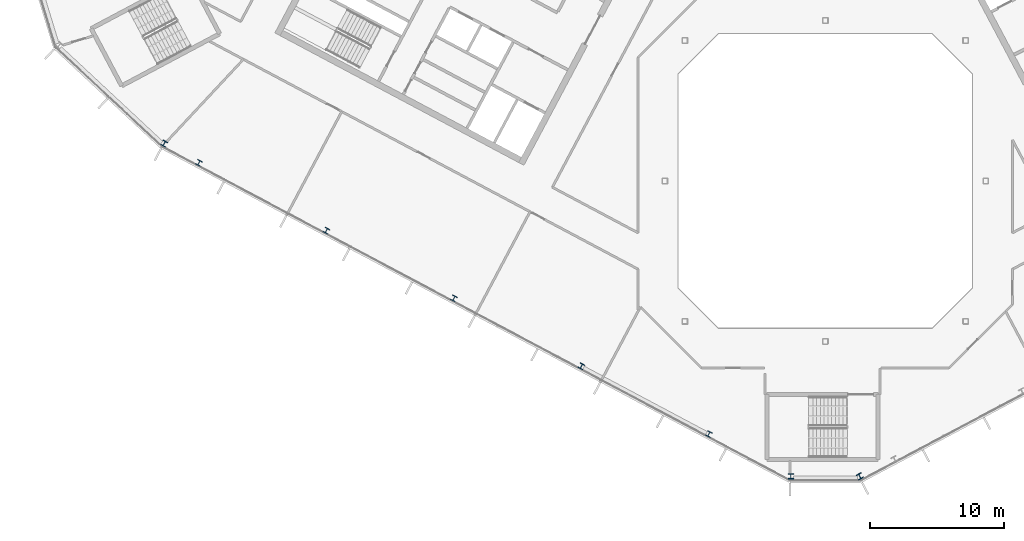
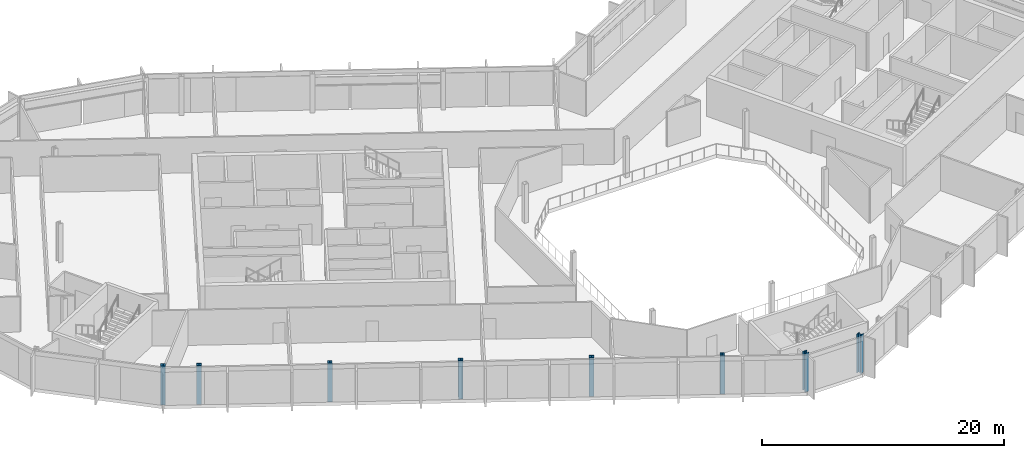
# One storey, part 1 of 25: 8 columns.
"""IFC4 building model written with IfcOpenShell, lengths in metres."""

from ifc_helpers import new_model, si_unit, direction, frame, origin, origin_2d, place, context, subcontext, project, spatial, i_section, extrude, material, material_profile, profile_set, type_object, element, save


model = new_model("IFC4")

# Units and contexts
model_context = context("Model", 3, precision=1e-05, world=origin(), true_north=direction((0.0, 1.0)))
body_context = subcontext(model_context, "Body", "Model", "MODEL_VIEW")
ifc_project = project(units=[si_unit("LENGTHUNIT", "METRE"), si_unit("AREAUNIT", "SQUARE_METRE"), si_unit("VOLUMEUNIT", "CUBIC_METRE"), si_unit("PLANEANGLEUNIT", "RADIAN"), si_unit("MASSUNIT", "GRAM", prefix="KILO")], contexts=[model_context])

# Site, building, storey
site_placement = place(None, origin())
site = spatial("IfcSite", under=ifc_project, at=site_placement, CompositionType="ELEMENT")
building_placement = place(site_placement, origin())
building = spatial("IfcBuilding", under=site, at=building_placement, Name="Cormorant Relay Tower", CompositionType="ELEMENT")
storey_placement = place(building_placement, frame((0.0, 0.0, 265.800048828125)))
storey = spatial("IfcBuildingStorey", under=building, at=storey_placement, Name="L59", CompositionType="ELEMENT", Elevation=265.800048828125)

# Columns
ifc_material_1 = material(Name="Steel ASTM A992 (Fy 345 MPa)", Category="steel")
ifc_material_profile_1 = material_profile(ifc_material_1, i_section(OverallWidth=0.398681640625, OverallDepth=0.385986328125, WebThickness=0.02099609375, FlangeThickness=0.033203125, FilletRadius=0.01513671875, at=origin_2d()), Name="W360x262")
ifc_profile_set_1 = profile_set([ifc_material_profile_1], Name="Steel ASTM A992 (Fy 345 MPa)")
column_type_1 = type_object("IfcColumnType", Name="Column W360x262", PredefinedType="COLUMN", material=ifc_profile_set_1)
for number, where, z_axis, x_axis, name in (
    (1, (-8.705078125, -18.928955078125, 0.0), (0.0, 0.0, 1.0), (0.882947592859, -0.469471562786, 0.0), "Column L59-004"),
    (2, (-18.240966796875, -13.85791015625, 0.0), (0.0, 0.0, 1.0), (0.882947592859, -0.469471562786, 0.0), "Column L59-006"),
    (3, (-27.777099609375, -8.7880859375, 0.0), (0.0, 0.0, 1.0), (0.882947592859, -0.469471562786, 0.0), "Column L59-011"),
    (4, (-37.31298828125, -3.718017578125, 0.0), (0.0, 0.0, 1.0), (0.882947592859, -0.469471562786, 0.0), "Column L59-013"),
    (5, (-46.84912109375, 1.35205078125, 0.0), (0.0, 0.0, 1.0), (0.882947592859, -0.469471562786, 0.0), "Column L59-017"),
):
    element("IfcColumn", number, at=place(storey_placement, frame(where, z_axis=z_axis, x_axis=x_axis)), inside=storey, type_object=column_type_1, Name=name, PredefinedType="COLUMN", context=body_context, shape_type="SweptSolid", body=[
        extrude(i_section(OverallWidth=0.398681640625, OverallDepth=0.385986328125, WebThickness=0.02099609375, FlangeThickness=0.033203125, FilletRadius=0.01513671875, at=origin_2d()), origin(), (0.0, 0.0, 1.0), 3.89990234375),
    ])
ifc_material_2 = material(Name="Steel ASTM A992 (Fy 345 MPa)", Category="steel")
ifc_material_profile_2 = material_profile(ifc_material_2, i_section(OverallWidth=0.40380859375, OverallDepth=0.406494140625, WebThickness=0.027099609375, FlangeThickness=0.043701171875, FilletRadius=0.01513671875, at=origin_2d()), Name="W360x347")
ifc_profile_set_2 = profile_set([ifc_material_profile_2], Name="Steel ASTM A992 (Fy 345 MPa)")
column_type_2 = type_object("IfcColumnType", Name="Column W360x347", PredefinedType="COLUMN", material=ifc_profile_set_2)
for number, where, z_axis, x_axis, name in (
    (6, (-2.5791015625, -22.093994140625, 0.0), (0.0, 0.0, 1.0), (1.0, 0.0, 0.0), "Column L59-001"),
    (7, (2.5791015625, -22.093994140625, 0.0), (0.0, 0.0, 1.0), (0.882947592859, 0.469471562786, 0.0), "Column L59-002"),
    (8, (-49.44091796875, 2.7958984375, 0.0), (0.0, 0.0, 1.0), (0.882947592859, -0.469471562786, 0.0), "Column L59-018"),
):
    element("IfcColumn", number, at=place(storey_placement, frame(where, z_axis=z_axis, x_axis=x_axis)), inside=storey, type_object=column_type_2, Name=name, PredefinedType="COLUMN", context=body_context, shape_type="SweptSolid", body=[
        extrude(i_section(OverallWidth=0.40380859375, OverallDepth=0.406494140625, WebThickness=0.027099609375, FlangeThickness=0.043701171875, FilletRadius=0.01513671875, at=origin_2d()), origin(), (0.0, 0.0, 1.0), 3.89990234375),
    ])

save(model, "model.ifc")
